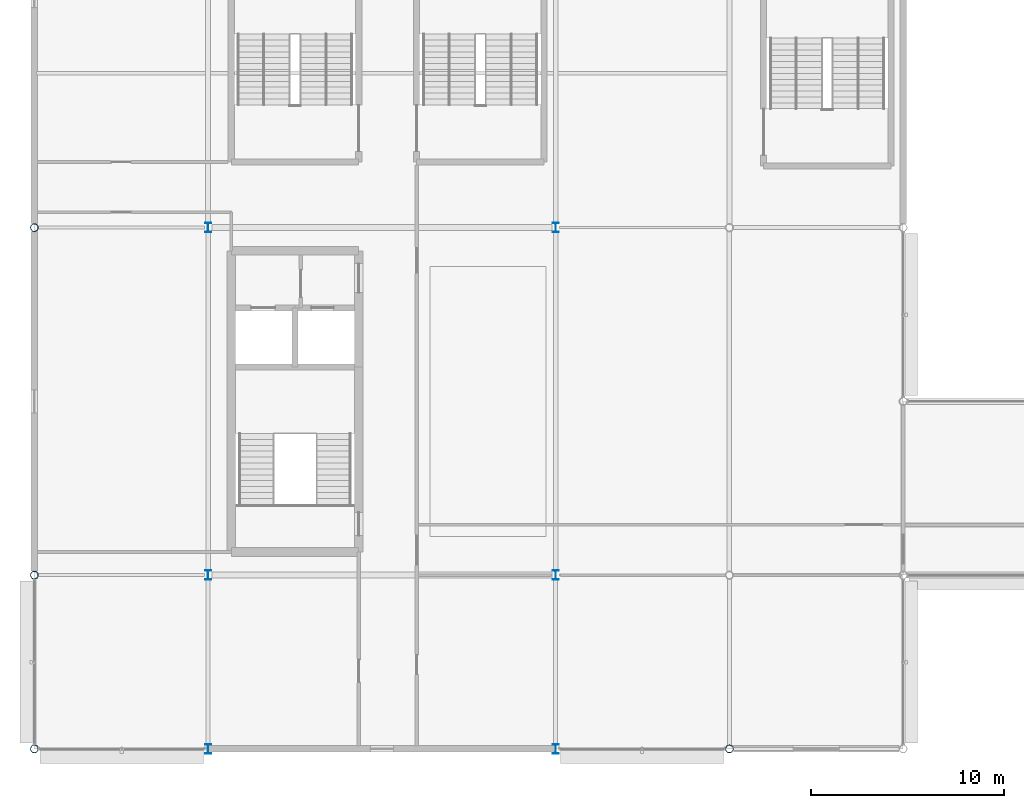
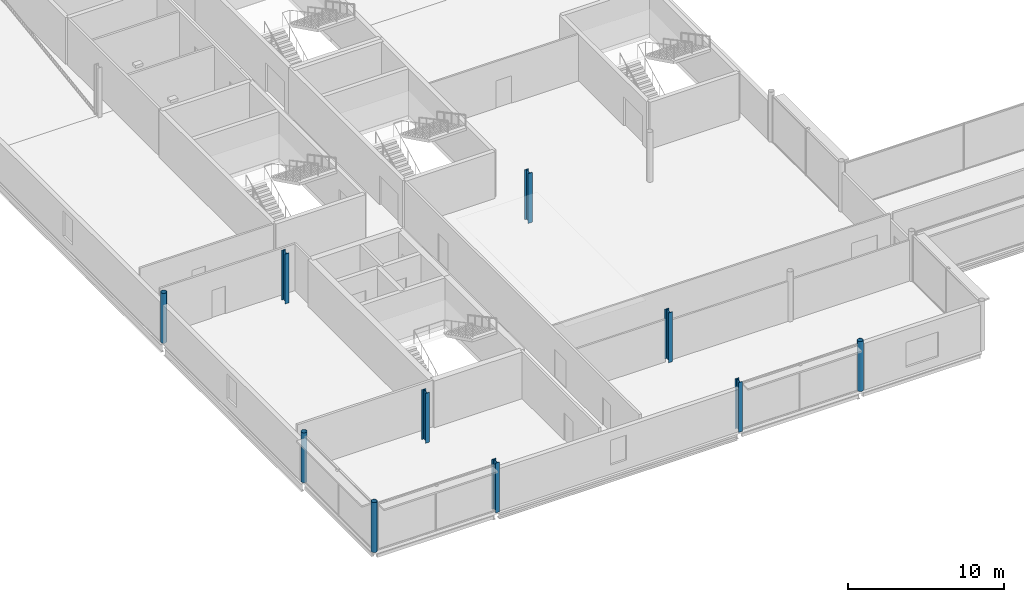
# One storey, part 1 of 96: 10 columns.
"""IFC4 building model written with IfcOpenShell, lengths in metres."""

from ifc_helpers import new_model, si_unit, direction, frame, origin, origin_2d, place, context, subcontext, project, spatial, hollow_circle, i_section, extrude, material, material_profile, profile_set, type_object, element, save


model = new_model("IFC4")

# Units and contexts
model_context = context("Model", 3, precision=1e-05, world=origin(), true_north=direction((0.0, 1.0)))
body_context = subcontext(model_context, "Body", "Model", "MODEL_VIEW")
ifc_project = project(units=[si_unit("LENGTHUNIT", "METRE"), si_unit("AREAUNIT", "SQUARE_METRE"), si_unit("VOLUMEUNIT", "CUBIC_METRE"), si_unit("PLANEANGLEUNIT", "RADIAN"), si_unit("MASSUNIT", "GRAM", prefix="KILO")], contexts=[model_context])

# Site, building, storey
site_placement = place(None, origin())
site = spatial("IfcSite", under=ifc_project, at=site_placement, CompositionType="ELEMENT")
building_placement = place(site_placement, origin())
building = spatial("IfcBuilding", under=site, at=building_placement, Name="Kisiwana Market Hall", CompositionType="ELEMENT")
storey_placement = place(building_placement, frame((0.0, 0.0, 25.5)))
storey = spatial("IfcBuildingStorey", under=building, at=storey_placement, Name="L05", CompositionType="ELEMENT", Elevation=25.5)

# Columns
ifc_material_1 = material(Name="Steel S355", Category="steel")
ifc_material_profile_1 = material_profile(ifc_material_1, hollow_circle(Radius=0.203125, WallThickness=0.01611328125, at=origin_2d()), Name="CHS 406.4x16")
ifc_profile_set_1 = profile_set([ifc_material_profile_1], Name="Steel S355")
column_type_1 = type_object("IfcColumnType", Name="COL-STL-CHS406", PredefinedType="COLUMN", material=ifc_profile_set_1)
for number, where, z_axis, x_axis, name in (
    (1, (0.0, 9.0, 0.0), (0.0, 0.0, 1.0), (1.0, 0.0, 0.0), "Column B/1 (L05) C-0882"),
    (2, (0.0, 18.0, 0.0), (0.0, 0.0, 1.0), (1.0, 0.0, 0.0), "Column C/1 (L05) C-0883"),
    (3, (0.0, 36.0, 0.0), (0.0, 0.0, 1.0), (1.0, 0.0, 0.0), "Column E/1 (L05) C-0884"),
    (4, (36.0, 9.0, 0.0), (0.0, 0.0, 1.0), (1.0, 0.0, 0.0), "Column B/5 (L05) C-0902"),
):
    element("IfcColumn", number, at=place(storey_placement, frame(where, z_axis=z_axis, x_axis=x_axis)), inside=storey, type_object=column_type_1, Name=name, PredefinedType="COLUMN", context=body_context, shape_type="SweptSolid", body=[
        extrude(hollow_circle(Radius=0.203125, WallThickness=0.01611328125, at=origin_2d()), origin(), (0.0, 0.0, 1.0), 3.89990234375),
    ])
ifc_material_2 = material(Name="Steel S355", Category="steel")
ifc_material_profile_2 = material_profile(ifc_material_2, i_section(OverallWidth=0.300048828125, OverallDepth=0.5, WebThickness=0.014404296875, FlangeThickness=0.028076171875, FilletRadius=0.027099609375, at=origin_2d()), Name="HEB 500")
ifc_profile_set_2 = profile_set([ifc_material_profile_2], Name="Steel S355")
column_type_2 = type_object("IfcColumnType", Name="COL-STL-HEB500", PredefinedType="COLUMN", material=ifc_profile_set_2)
for number, where, z_axis, x_axis, name in (
    (5, (9.0, 9.0, 0.0), (0.0, 0.0, 1.0), (1.0, 0.0, 0.0), "Column B/2 (L05) C-0889"),
    (6, (9.0, 18.0, 0.0), (0.0, 0.0, 1.0), (1.0, 0.0, 0.0), "Column C/2 (L05) C-0890"),
    (7, (9.0, 36.0, 0.0), (0.0, 0.0, 1.0), (1.0, 0.0, 0.0), "Column E/2 (L05) C-0891"),
    (8, (27.0, 9.0, 0.0), (0.0, 0.0, 1.0), (1.0, 0.0, 0.0), "Column B/4 (L05) C-0895"),
    (9, (27.0, 18.0, 0.0), (0.0, 0.0, 1.0), (1.0, 0.0, 0.0), "Column C/4 (L05) C-0896"),
    (10, (27.0, 36.0, 0.0), (0.0, 0.0, 1.0), (1.0, 0.0, 0.0), "Column E/4 (L05) C-0897"),
):
    element("IfcColumn", number, at=place(storey_placement, frame(where, z_axis=z_axis, x_axis=x_axis)), inside=storey, type_object=column_type_2, Name=name, PredefinedType="COLUMN", context=body_context, shape_type="SweptSolid", body=[
        extrude(i_section(OverallWidth=0.300048828125, OverallDepth=0.5, WebThickness=0.014404296875, FlangeThickness=0.028076171875, FilletRadius=0.027099609375, at=origin_2d()), origin(), (0.0, 0.0, 1.0), 3.89990234375),
    ])

save(model, "model.ifc")
